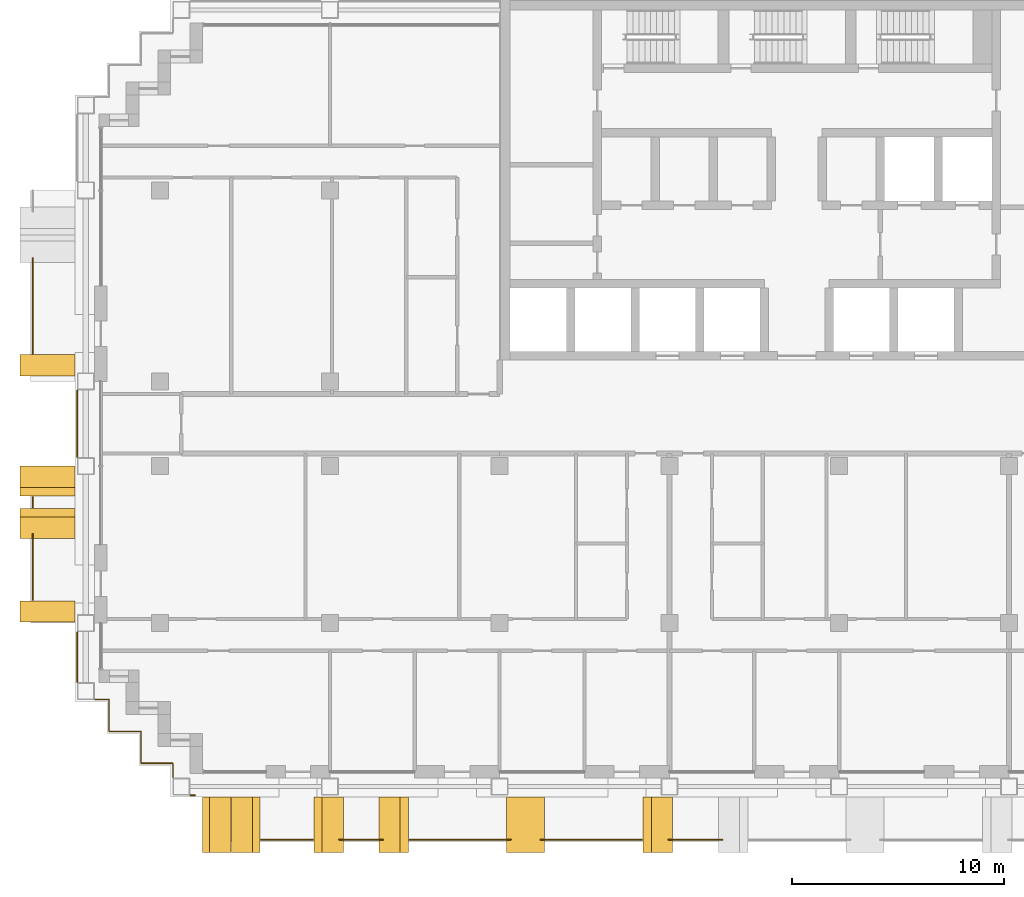
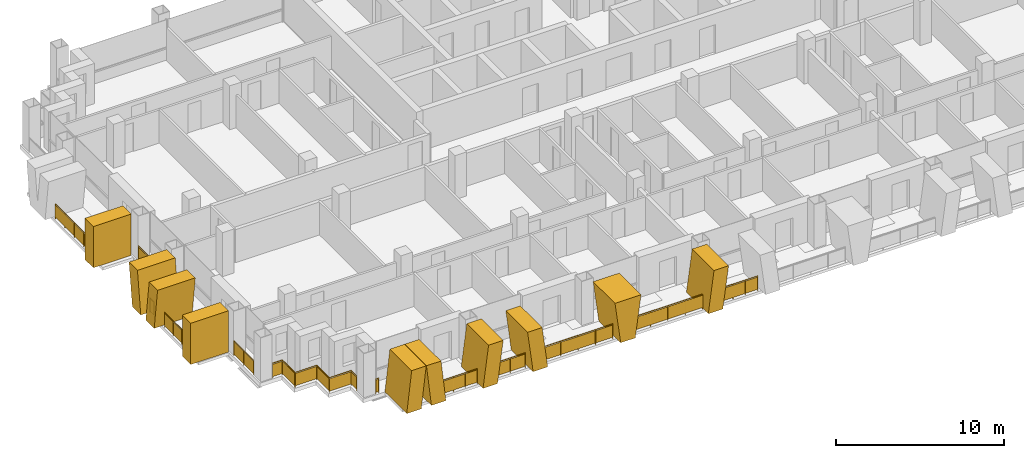
# One storey, part 13 of 16: 12 railings, 10 shading devices.
"""IFC4 building model written with IfcOpenShell, lengths in metres."""

from ifc_helpers import new_model, si_unit, direction, frame, origin, origin_2d, place, context, subcontext, project, spatial, polyline, rectangle, circle, outline, extrude, material, layer, layer_set, type_object, element, save


model = new_model("IFC4")

# Units and contexts
model_context = context("Model", 3, precision=1e-05, world=origin(), true_north=direction((0.0, 1.0)))
body_context = subcontext(model_context, "Body", "Model", "MODEL_VIEW")
ifc_project = project(units=[si_unit("LENGTHUNIT", "METRE"), si_unit("AREAUNIT", "SQUARE_METRE"), si_unit("VOLUMEUNIT", "CUBIC_METRE"), si_unit("PLANEANGLEUNIT", "RADIAN"), si_unit("MASSUNIT", "GRAM", prefix="KILO")], contexts=[model_context])

# Site, building, storey
site_placement = place(None, origin())
site = spatial("IfcSite", under=ifc_project, at=site_placement, CompositionType="ELEMENT")
building_placement = place(site_placement, origin())
building = spatial("IfcBuilding", under=site, at=building_placement, Name="Vidyagriha Tower", CompositionType="ELEMENT")
storey_placement = place(building_placement, frame((0.0, 0.0, 135.800048828125)))
storey = spatial("IfcBuildingStorey", under=building, at=storey_placement, Name="L35", CompositionType="ELEMENT", Elevation=135.800048828125)

# Railings
ifc_material_1 = material(Name="Steel ASTM A500 Grade C black painted", Category="steel")
railing_type_1 = type_object("IfcRailingType", Name="Balcony guard 1100", PredefinedType="BALUSTRADE", material=ifc_material_1)
railing_1_placement = place(storey_placement, frame((-36.0, 7.796630859375, 0.0)))
element("IfcRailing", 1, at=railing_1_placement, inside=storey, type_object=railing_type_1, Name="Balcony guard L35 R16.1-2", PredefinedType="BALUSTRADE", context=body_context, shape_type="SweptSolid", body=[
    extrude(circle(Radius=0.02490234375, at=origin_2d()), frame((0.0, 0.0, 1.0751953125), z_axis=(0.0, -1.0, 0.0), x_axis=(1.0, 0.0, 0.0)), (0.0, 0.0, 1.0), 4.49658203125),
    extrude(circle(Radius=0.02001953125, at=origin_2d()), origin(), (0.0, 0.0, 1.0), 1.050048828125),
    extrude(circle(Radius=0.02001953125, at=origin_2d()), frame((0.0, -1.1240234375, 0.0)), (0.0, 0.0, 1.0), 1.050048828125),
    extrude(circle(Radius=0.02001953125, at=origin_2d()), frame((0.0, -2.248291015625, 0.0)), (0.0, 0.0, 1.0), 1.050048828125),
    extrude(circle(Radius=0.02001953125, at=origin_2d()), frame((0.0, -3.37255859375, 0.0)), (0.0, 0.0, 1.0), 1.050048828125),
    extrude(circle(Radius=0.02001953125, at=origin_2d()), frame((0.0, -4.49658203125, 0.0)), (0.0, 0.0, 1.0), 1.050048828125),
    extrude(rectangle(XDim=0.010009765625, YDim=0.900146484375, at=origin_2d()), frame((0.0, 0.0, 0.550048828125), z_axis=(0.0, -1.0, 0.0), x_axis=(1.0, 0.0, 0.0)), (0.0, 0.0, 1.0), 4.49658203125),
])
railing_2_placement = place(storey_placement, frame((-36.0, -3.449951171875, 0.0)))
element("IfcRailing", 2, at=railing_2_placement, inside=storey, type_object=railing_type_1, Name="Balcony guard L35 R16.2-1", PredefinedType="BALUSTRADE", context=body_context, shape_type="SweptSolid", body=[
    extrude(circle(Radius=0.02490234375, at=origin_2d()), frame((0.0, 0.0, 1.0751953125), z_axis=(0.0, -1.0, 0.0), x_axis=(1.0, 0.0, 0.0)), (0.0, 0.0, 1.0), 0.5),
    extrude(circle(Radius=0.02001953125, at=origin_2d()), origin(), (0.0, 0.0, 1.0), 1.050048828125),
    extrude(circle(Radius=0.02001953125, at=origin_2d()), frame((0.0, -0.5, 0.0)), (0.0, 0.0, 1.0), 1.050048828125),
    extrude(rectangle(XDim=0.010009765625, YDim=0.900146484375, at=origin_2d()), frame((0.0, 0.0, 0.550048828125), z_axis=(0.0, -1.0, 0.0), x_axis=(1.0, 0.0, 0.0)), (0.0, 0.0, 1.0), 0.5),
])
railing_3_placement = place(storey_placement, frame((-36.0, -5.203369140625, 0.0)))
element("IfcRailing", 3, at=railing_3_placement, inside=storey, type_object=railing_type_1, Name="Balcony guard L35 R16.2-2", PredefinedType="BALUSTRADE", context=body_context, shape_type="SweptSolid", body=[
    extrude(circle(Radius=0.02490234375, at=origin_2d()), frame((0.0, 0.0, 1.0751953125), z_axis=(0.0, -1.0, 0.0), x_axis=(1.0, 0.0, 0.0)), (0.0, 0.0, 1.0), 3.0966796875),
    extrude(circle(Radius=0.02001953125, at=origin_2d()), origin(), (0.0, 0.0, 1.0), 1.050048828125),
    extrude(circle(Radius=0.02001953125, at=origin_2d()), frame((0.0, -1.0322265625, 0.0)), (0.0, 0.0, 1.0), 1.050048828125),
    extrude(circle(Radius=0.02001953125, at=origin_2d()), frame((0.0, -2.064453125, 0.0)), (0.0, 0.0, 1.0), 1.050048828125),
    extrude(circle(Radius=0.02001953125, at=origin_2d()), frame((0.0, -3.0966796875, 0.0)), (0.0, 0.0, 1.0), 1.050048828125),
    extrude(rectangle(XDim=0.010009765625, YDim=0.900146484375, at=origin_2d()), frame((0.0, 0.0, 0.550048828125), z_axis=(0.0, -1.0, 0.0), x_axis=(1.0, 0.0, 0.0)), (0.0, 0.0, 1.0), 3.0966796875),
])
railing_4_placement = place(storey_placement, frame((-25.25, -19.60009765625, 0.0)))
element("IfcRailing", 4, at=railing_4_placement, inside=storey, type_object=railing_type_1, Name="Balcony guard L35 R23.1-1", PredefinedType="BALUSTRADE", context=body_context, shape_type="SweptSolid", body=[
    extrude(circle(Radius=0.02490234375, at=origin_2d()), frame((0.0, 0.0, 1.0751953125), z_axis=(1.0, 0.0, 0.0), x_axis=(0.0, 1.0, 0.0)), (0.0, 0.0, 1.0), 2.449951171875),
    extrude(circle(Radius=0.02001953125, at=origin_2d()), origin(), (0.0, 0.0, 1.0), 1.050048828125),
    extrude(circle(Radius=0.02001953125, at=origin_2d()), frame((0.816650390625, 0.0, 0.0)), (0.0, 0.0, 1.0), 1.050048828125),
    extrude(circle(Radius=0.02001953125, at=origin_2d()), frame((1.63330078125, 0.0, 0.0)), (0.0, 0.0, 1.0), 1.050048828125),
    extrude(circle(Radius=0.02001953125, at=origin_2d()), frame((2.449951171875, 0.0, 0.0)), (0.0, 0.0, 1.0), 1.050048828125),
    extrude(rectangle(XDim=0.010009765625, YDim=0.900146484375, at=origin_2d()), frame((0.0, 0.0, 0.550048828125), z_axis=(1.0, 0.0, 0.0), x_axis=(0.0, 1.0, 0.0)), (0.0, 0.0, 1.0), 2.449951171875),
])
railing_5_placement = place(storey_placement, frame((-21.552978515625, -19.60009765625, 0.0)))
element("IfcRailing", 5, at=railing_5_placement, inside=storey, type_object=railing_type_1, Name="Balcony guard L35 R23.1-2", PredefinedType="BALUSTRADE", context=body_context, shape_type="SweptSolid", body=[
    extrude(circle(Radius=0.02490234375, at=origin_2d()), frame((0.0, 0.0, 1.0751953125), z_axis=(1.0, 0.0, 0.0), x_axis=(0.0, 1.0, 0.0)), (0.0, 0.0, 1.0), 2.05615234375),
    extrude(circle(Radius=0.02001953125, at=origin_2d()), origin(), (0.0, 0.0, 1.0), 1.050048828125),
    extrude(circle(Radius=0.02001953125, at=origin_2d()), frame((1.028076171875, 0.0, 0.0)), (0.0, 0.0, 1.0), 1.050048828125),
    extrude(circle(Radius=0.02001953125, at=origin_2d()), frame((2.05615234375, 0.0, 0.0)), (0.0, 0.0, 1.0), 1.050048828125),
    extrude(rectangle(XDim=0.010009765625, YDim=0.900146484375, at=origin_2d()), frame((0.0, 0.0, 0.550048828125), z_axis=(1.0, 0.0, 0.0), x_axis=(0.0, 1.0, 0.0)), (0.0, 0.0, 1.0), 2.05615234375),
])
railing_6_placement = place(storey_placement, frame((-18.25, -19.60009765625, 0.0)))
element("IfcRailing", 6, at=railing_6_placement, inside=storey, type_object=railing_type_1, Name="Balcony guard L35 R23.1-3", PredefinedType="BALUSTRADE", context=body_context, shape_type="SweptSolid", body=[
    extrude(circle(Radius=0.02490234375, at=origin_2d()), frame((0.0, 0.0, 1.0751953125), z_axis=(1.0, 0.0, 0.0), x_axis=(0.0, 1.0, 0.0)), (0.0, 0.0, 1.0), 4.773681640625),
    extrude(circle(Radius=0.02001953125, at=origin_2d()), origin(), (0.0, 0.0, 1.0), 1.050048828125),
    extrude(circle(Radius=0.02001953125, at=origin_2d()), frame((1.193359375, 0.0, 0.0)), (0.0, 0.0, 1.0), 1.050048828125),
    extrude(circle(Radius=0.02001953125, at=origin_2d()), frame((2.38671875, 0.0, 0.0)), (0.0, 0.0, 1.0), 1.050048828125),
    extrude(circle(Radius=0.02001953125, at=origin_2d()), frame((3.580322265625, 0.0, 0.0)), (0.0, 0.0, 1.0), 1.050048828125),
    extrude(circle(Radius=0.02001953125, at=origin_2d()), frame((4.773681640625, 0.0, 0.0)), (0.0, 0.0, 1.0), 1.050048828125),
    extrude(rectangle(XDim=0.010009765625, YDim=0.900146484375, at=origin_2d()), frame((0.0, 0.0, 0.550048828125), z_axis=(1.0, 0.0, 0.0), x_axis=(0.0, 1.0, 0.0)), (0.0, 0.0, 1.0), 4.773681640625),
])
railing_7_placement = place(storey_placement, frame((-12.073486328125, -19.60009765625, 0.0)))
element("IfcRailing", 7, at=railing_7_placement, inside=storey, type_object=railing_type_1, Name="Balcony guard L35 R23.1-4", PredefinedType="BALUSTRADE", context=body_context, shape_type="SweptSolid", body=[
    extrude(circle(Radius=0.02490234375, at=origin_2d()), frame((0.0, 0.0, 1.0751953125), z_axis=(1.0, 0.0, 0.0), x_axis=(0.0, 1.0, 0.0)), (0.0, 0.0, 1.0), 4.7734375),
    extrude(circle(Radius=0.02001953125, at=origin_2d()), origin(), (0.0, 0.0, 1.0), 1.050048828125),
    extrude(circle(Radius=0.02001953125, at=origin_2d()), frame((1.193359375, 0.0, 0.0)), (0.0, 0.0, 1.0), 1.050048828125),
    extrude(circle(Radius=0.02001953125, at=origin_2d()), frame((2.38671875, 0.0, 0.0)), (0.0, 0.0, 1.0), 1.050048828125),
    extrude(circle(Radius=0.02001953125, at=origin_2d()), frame((3.580078125, 0.0, 0.0)), (0.0, 0.0, 1.0), 1.050048828125),
    extrude(circle(Radius=0.02001953125, at=origin_2d()), frame((4.7734375, 0.0, 0.0)), (0.0, 0.0, 1.0), 1.050048828125),
    extrude(rectangle(XDim=0.010009765625, YDim=0.900146484375, at=origin_2d()), frame((0.0, 0.0, 0.550048828125), z_axis=(1.0, 0.0, 0.0), x_axis=(0.0, 1.0, 0.0)), (0.0, 0.0, 1.0), 4.7734375),
])
railing_8_placement = place(storey_placement, frame((-6.048583984375, -19.60009765625, 0.0)))
element("IfcRailing", 8, at=railing_8_placement, inside=storey, type_object=railing_type_1, Name="Balcony guard L35 R23.1-5", PredefinedType="BALUSTRADE", context=body_context, shape_type="SweptSolid", body=[
    extrude(circle(Radius=0.02490234375, at=origin_2d()), frame((0.0, 0.0, 1.0751953125), z_axis=(1.0, 0.0, 0.0), x_axis=(0.0, 1.0, 0.0)), (0.0, 0.0, 1.0), 2.547119140625),
    extrude(circle(Radius=0.02001953125, at=origin_2d()), origin(), (0.0, 0.0, 1.0), 1.050048828125),
    extrude(circle(Radius=0.02001953125, at=origin_2d()), frame((0.84912109375, 0.0, 0.0)), (0.0, 0.0, 1.0), 1.050048828125),
    extrude(circle(Radius=0.02001953125, at=origin_2d()), frame((1.697998046875, 0.0, 0.0)), (0.0, 0.0, 1.0), 1.050048828125),
    extrude(circle(Radius=0.02001953125, at=origin_2d()), frame((2.547119140625, 0.0, 0.0)), (0.0, 0.0, 1.0), 1.050048828125),
    extrude(rectangle(XDim=0.010009765625, YDim=0.900146484375, at=origin_2d()), frame((0.0, 0.0, 0.550048828125), z_axis=(1.0, 0.0, 0.0), x_axis=(0.0, 1.0, 0.0)), (0.0, 0.0, 1.0), 2.547119140625),
])

# Shading devices
ifc_material_2 = material(Name="Precast concrete C40/50 with buff brick facing", Category="concrete")
ifc_layer_1 = layer(ifc_material_2, 1.0)
ifc_layer_set_1 = layer_set([ifc_layer_1], Name="Precast concrete C40/50 with buff brick facing")
shading_device_type_1 = type_object("IfcShadingDeviceType", Name="Brick-faced blade fin arm leaning 8 degrees", PredefinedType="USERDEFINED", material=ifc_layer_set_1)
shading_device_1_placement = place(storey_placement, frame((-35.300048828125, -4.0, 0.0), z_axis=(0.0, 0.0, 1.0), x_axis=(0.0, -1.0, 0.0)))
element("IfcShadingDevice", 9, at=shading_device_1_placement, inside=storey, type_object=shading_device_type_1, Name="Leaning blade fin L35 R16.1600a", ObjectType="BLADE FIN", PredefinedType="USERDEFINED", context=body_context, shape_type="SweptSolid", body=[
    extrude(outline(polyline([(0.0, 0.0), (1.0, 0.0), (1.39990234375, 3.0), (0.39990234375, 3.0), (0.0, 0.0)])), frame((0.0, 1.300048828125, 0.0), z_axis=(0.0, -1.0, 0.0), x_axis=(1.0, 0.0, 0.0)), (0.0, 0.0, 1.0), 2.60009765625),
])
shading_device_2_placement = place(storey_placement, frame((-35.300048828125, -2.0, 0.0), z_axis=(0.0, 0.0, 1.0), x_axis=(0.0, -1.0, 0.0)))
element("IfcShadingDevice", 10, at=shading_device_2_placement, inside=storey, type_object=shading_device_type_1, Name="Leaning blade fin L35 R16.1600b", ObjectType="BLADE FIN", PredefinedType="USERDEFINED", context=body_context, shape_type="SweptSolid", body=[
    extrude(outline(polyline([(0.39990234375, 0.0), (1.39990234375, 0.0), (1.0, 3.0), (0.0, 3.0), (0.39990234375, 0.0)])), frame((0.0, 1.300048828125, 0.0), z_axis=(0.0, -1.0, 0.0), x_axis=(1.0, 0.0, 0.0)), (0.0, 0.0, 1.0), 2.60009765625),
])
shading_device_3_placement = place(storey_placement, frame((-26.639892578125, -18.89990234375, 0.0)))
element("IfcShadingDevice", 11, at=shading_device_3_placement, inside=storey, type_object=shading_device_type_1, Name="Leaning blade fin L35 R23.0a", ObjectType="BLADE FIN", PredefinedType="USERDEFINED", context=body_context, shape_type="SweptSolid", body=[
    extrude(outline(polyline([(0.340087890625, 0.0), (1.340087890625, 0.0), (1.0, 3.0), (0.0, 3.0), (0.340087890625, 0.0)])), frame((0.0, 1.300048828125, 0.0), z_axis=(0.0, -1.0, 0.0), x_axis=(1.0, 0.0, 0.0)), (0.0, 0.0, 1.0), 2.60009765625),
])
shading_device_4_placement = place(storey_placement, frame((-28.0, -18.89990234375, 0.0)))
element("IfcShadingDevice", 12, at=shading_device_4_placement, inside=storey, type_object=shading_device_type_1, Name="Leaning blade fin L35 R23.0b", ObjectType="BLADE FIN", PredefinedType="USERDEFINED", context=body_context, shape_type="SweptSolid", body=[
    extrude(outline(polyline([(0.0, 0.0), (1.0, 0.0), (1.340087890625, 3.0), (0.340087890625, 3.0), (0.0, 0.0)])), frame((0.0, 1.300048828125, 0.0), z_axis=(0.0, -1.0, 0.0), x_axis=(1.0, 0.0, 0.0)), (0.0, 0.0, 1.0), 2.60009765625),
])
shading_device_5_placement = place(storey_placement, frame((-19.683349609375, -18.89990234375, 0.0)))
element("IfcShadingDevice", 13, at=shading_device_5_placement, inside=storey, type_object=shading_device_type_1, Name="Leaning blade fin L35 R23.600a", ObjectType="BLADE FIN", PredefinedType="USERDEFINED", context=body_context, shape_type="SweptSolid", body=[
    extrude(outline(polyline([(0.38330078125, 0.0), (1.38330078125, 0.0), (1.0, 3.0), (0.0, 3.0), (0.38330078125, 0.0)])), frame((0.0, 1.300048828125, 0.0), z_axis=(0.0, -1.0, 0.0), x_axis=(1.0, 0.0, 0.0)), (0.0, 0.0, 1.0), 2.60009765625),
])
shading_device_6_placement = place(storey_placement, frame((-22.75, -18.89990234375, 0.0)))
element("IfcShadingDevice", 14, at=shading_device_6_placement, inside=storey, type_object=shading_device_type_1, Name="Leaning blade fin L35 R23.600b", ObjectType="BLADE FIN", PredefinedType="USERDEFINED", context=body_context, shape_type="SweptSolid", body=[
    extrude(outline(polyline([(0.0, 0.0), (1.0, 0.0), (1.38330078125, 3.0), (0.38330078125, 3.0), (0.0, 0.0)])), frame((0.0, 1.300048828125, 0.0), z_axis=(0.0, -1.0, 0.0), x_axis=(1.0, 0.0, 0.0)), (0.0, 0.0, 1.0), 2.60009765625),
])
shading_device_7_placement = place(storey_placement, frame((-7.25, -18.89990234375, 0.0)))
element("IfcShadingDevice", 15, at=shading_device_7_placement, inside=storey, type_object=shading_device_type_1, Name="Leaning blade fin L35 R23.2200b", ObjectType="BLADE FIN", PredefinedType="USERDEFINED", context=body_context, shape_type="SweptSolid", body=[
    extrude(outline(polyline([(0.0, 0.0), (1.0, 0.0), (1.39501953125, 3.0), (0.39501953125, 3.0), (0.0, 0.0)])), frame((0.0, 1.300048828125, 0.0), z_axis=(0.0, -1.0, 0.0), x_axis=(1.0, 0.0, 0.0)), (0.0, 0.0, 1.0), 2.60009765625),
])
ifc_material_3 = material(Name="Precast concrete C40/50 with buff brick facing", Category="concrete")
ifc_layer_2 = layer(ifc_material_3, 1.0)
ifc_layer_set_2 = layer_set([ifc_layer_2], Name="Precast concrete C40/50 with buff brick facing")
shading_device_type_2 = type_object("IfcShadingDeviceType", Name="Brick-faced blade fin forking 8 degrees", PredefinedType="USERDEFINED", material=ifc_layer_set_2)
shading_device_8_placement = place(storey_placement, frame((-13.669921875, -18.89990234375, 0.0)))
element("IfcShadingDevice", 16, at=shading_device_8_placement, inside=storey, type_object=shading_device_type_2, Name="Forked blade fin L35 R23.1400a", ObjectType="BLADE FIN", PredefinedType="USERDEFINED", context=body_context, shape_type="SweptSolid", body=[
    extrude(outline(polyline([(0.39501953125, 0.0), (1.39501953125, 0.0), (1.7900390625, 3.0), (0.0, 3.0), (0.39501953125, 0.0)])), frame((0.0, 1.300048828125, 0.0), z_axis=(0.0, -1.0, 0.0), x_axis=(1.0, 0.0, 0.0)), (0.0, 0.0, 1.0), 2.60009765625),
])
ifc_material_4 = material(Name="Precast concrete C40/50 with buff brick facing", Category="concrete")
ifc_layer_3 = layer(ifc_material_4, 1.0)
ifc_layer_set_3 = layer_set([ifc_layer_3], Name="Precast concrete C40/50 with buff brick facing")
shading_device_type_3 = type_object("IfcShadingDeviceType", Name="Brick-faced blade fin stem 1000", PredefinedType="USERDEFINED", material=ifc_layer_set_3)
for number, where, z_axis, x_axis, name in (
    (17, (-35.300048828125, 3.25, 0.0), (0.0, 0.0, 1.0), (0.0, -1.0, 0.0), "Stem blade fin L35 R16.1200a"),
    (18, (-35.300048828125, -8.35009765625, 0.0), (0.0, 0.0, 1.0), (0.0, -1.0, 0.0), "Stem blade fin L35 R16.2340a"),
):
    element("IfcShadingDevice", number, at=place(storey_placement, frame(where, z_axis=z_axis, x_axis=x_axis)), inside=storey, type_object=shading_device_type_3, Name=name, ObjectType="BLADE FIN", PredefinedType="USERDEFINED", context=body_context, shape_type="SweptSolid", body=[
        extrude(outline(polyline([(0.0, 0.0), (1.0, 0.0), (1.0, 3.0), (0.0, 3.0), (0.0, 0.0)])), frame((0.0, 1.300048828125, 0.0), z_axis=(0.0, -1.0, 0.0), x_axis=(1.0, 0.0, 0.0)), (0.0, 0.0, 1.0), 2.60009765625),
    ])

# Railings
ifc_material_5 = material(Name="Steel ASTM A500 Grade C black painted", Category="steel")
railing_type_2 = type_object("IfcRailingType", Name="Gallery guard 1100", PredefinedType="GUARDRAIL", material=ifc_material_5)
railing_9_placement = place(storey_placement, frame((-33.89990234375, -12.169921875, 0.0)))
element("IfcRailing", 19, at=railing_9_placement, inside=storey, type_object=railing_type_2, Name="Gallery guard L35 1", PredefinedType="GUARDRAIL", context=body_context, shape_type="SweptSolid", body=[
    extrude(circle(Radius=0.02490234375, at=origin_2d()), frame((0.0, 0.0, 1.0751953125), z_axis=(0.0, 1.0, 0.0), x_axis=(-1.0, 0.0, 0.0)), (0.0, 0.0, 1.0), 2.33984375),
    extrude(circle(Radius=0.02001953125, at=origin_2d()), origin(), (0.0, 0.0, 1.0), 1.050048828125),
    extrude(circle(Radius=0.02001953125, at=origin_2d()), frame((0.0, 1.169921875, 0.0)), (0.0, 0.0, 1.0), 1.050048828125),
    extrude(circle(Radius=0.02001953125, at=origin_2d()), frame((0.0, 2.33984375, 0.0)), (0.0, 0.0, 1.0), 1.050048828125),
    extrude(rectangle(XDim=0.010009765625, YDim=0.900146484375, at=origin_2d()), frame((0.0, 0.0, 0.550048828125), z_axis=(0.0, 1.0, 0.0), x_axis=(-1.0, 0.0, 0.0)), (0.0, 0.0, 1.0), 2.33984375),
])
railing_10_placement = place(storey_placement, frame((-33.89990234375, -1.570068359375, 0.0)))
element("IfcRailing", 20, at=railing_10_placement, inside=storey, type_object=railing_type_2, Name="Gallery guard L35 2", PredefinedType="GUARDRAIL", context=body_context, shape_type="SweptSolid", body=[
    extrude(circle(Radius=0.02490234375, at=origin_2d()), frame((0.0, 0.0, 1.0751953125), z_axis=(0.0, 1.0, 0.0), x_axis=(-1.0, 0.0, 0.0)), (0.0, 0.0, 1.0), 3.14013671875),
    extrude(circle(Radius=0.02001953125, at=origin_2d()), origin(), (0.0, 0.0, 1.0), 1.050048828125),
    extrude(circle(Radius=0.02001953125, at=origin_2d()), frame((0.0, 1.046630859375, 0.0)), (0.0, 0.0, 1.0), 1.050048828125),
    extrude(circle(Radius=0.02001953125, at=origin_2d()), frame((0.0, 2.093505859375, 0.0)), (0.0, 0.0, 1.0), 1.050048828125),
    extrude(circle(Radius=0.02001953125, at=origin_2d()), frame((0.0, 3.14013671875, 0.0)), (0.0, 0.0, 1.0), 1.050048828125),
    extrude(rectangle(XDim=0.010009765625, YDim=0.900146484375, at=origin_2d()), frame((0.0, 0.0, 0.550048828125), z_axis=(0.0, 1.0, 0.0), x_axis=(-1.0, 0.0, 0.0)), (0.0, 0.0, 1.0), 3.14013671875),
])
railing_11_placement = place(storey_placement, frame((-29.39990234375, -16.669921875, 0.0)))
element("IfcRailing", 21, at=railing_11_placement, inside=storey, type_object=railing_type_2, Name="Gallery guard L35 4", PredefinedType="GUARDRAIL", context=body_context, shape_type="SweptSolid", body=[
    extrude(circle(Radius=0.02490234375, at=origin_2d()), frame((0.0, 0.0, 1.0751953125), z_axis=(0.0, 1.0, 0.0), x_axis=(-1.0, 0.0, 0.0)), (0.0, 0.0, 1.0), 0.669921875),
    extrude(circle(Radius=0.02490234375, at=origin_2d()), frame((0.0, 0.669921875, 1.0751953125), z_axis=(-1.0, 0.0, 0.0), x_axis=(0.0, -1.0, 0.0)), (0.0, 0.0, 1.0), 1.5),
    extrude(circle(Radius=0.02490234375, at=origin_2d()), frame((-1.5, 0.669921875, 1.0751953125), z_axis=(0.0, 1.0, 0.0), x_axis=(-1.0, 0.0, 0.0)), (0.0, 0.0, 1.0), 1.5),
    extrude(circle(Radius=0.02490234375, at=origin_2d()), frame((-1.5, 2.169921875, 1.0751953125), z_axis=(-1.0, 0.0, 0.0), x_axis=(0.0, -1.0, 0.0)), (0.0, 0.0, 1.0), 1.5),
    extrude(circle(Radius=0.02490234375, at=origin_2d()), frame((-3.0, 2.169921875, 1.0751953125), z_axis=(0.0, 1.0, 0.0), x_axis=(-1.0, 0.0, 0.0)), (0.0, 0.0, 1.0), 1.5),
    extrude(circle(Radius=0.02490234375, at=origin_2d()), frame((-3.0, 3.669921875, 1.0751953125), z_axis=(-1.0, 0.0, 0.0), x_axis=(0.0, -1.0, 0.0)), (0.0, 0.0, 1.0), 0.670166015625),
    extrude(circle(Radius=0.02001953125, at=origin_2d()), origin(), (0.0, 0.0, 1.0), 1.050048828125),
    extrude(circle(Radius=0.02001953125, at=origin_2d()), frame((0.0, 0.669921875, 0.0)), (0.0, 0.0, 1.0), 1.050048828125),
    extrude(circle(Radius=0.02001953125, at=origin_2d()), frame((-1.5, 0.669921875, 0.0)), (0.0, 0.0, 1.0), 1.050048828125),
    extrude(circle(Radius=0.02001953125, at=origin_2d()), frame((-1.5, 2.169921875, 0.0)), (0.0, 0.0, 1.0), 1.050048828125),
    extrude(circle(Radius=0.02001953125, at=origin_2d()), frame((-3.0, 2.169921875, 0.0)), (0.0, 0.0, 1.0), 1.050048828125),
    extrude(circle(Radius=0.02001953125, at=origin_2d()), frame((-3.0, 3.669921875, 0.0)), (0.0, 0.0, 1.0), 1.050048828125),
    extrude(circle(Radius=0.02001953125, at=origin_2d()), frame((-3.670166015625, 3.669921875, 0.0)), (0.0, 0.0, 1.0), 1.050048828125),
    extrude(rectangle(XDim=0.010009765625, YDim=0.900146484375, at=origin_2d()), frame((0.0, 0.0, 0.550048828125), z_axis=(0.0, 1.0, 0.0), x_axis=(-1.0, 0.0, 0.0)), (0.0, 0.0, 1.0), 0.669921875),
    extrude(rectangle(XDim=0.010009765625, YDim=0.900146484375, at=origin_2d()), frame((0.0, 0.669921875, 0.550048828125), z_axis=(-1.0, 0.0, 0.0), x_axis=(0.0, -1.0, 0.0)), (0.0, 0.0, 1.0), 1.5),
    extrude(rectangle(XDim=0.010009765625, YDim=0.900146484375, at=origin_2d()), frame((-1.5, 0.669921875, 0.550048828125), z_axis=(0.0, 1.0, 0.0), x_axis=(-1.0, 0.0, 0.0)), (0.0, 0.0, 1.0), 1.5),
    extrude(rectangle(XDim=0.010009765625, YDim=0.900146484375, at=origin_2d()), frame((-1.5, 2.169921875, 0.550048828125), z_axis=(-1.0, 0.0, 0.0), x_axis=(0.0, -1.0, 0.0)), (0.0, 0.0, 1.0), 1.5),
    extrude(rectangle(XDim=0.010009765625, YDim=0.900146484375, at=origin_2d()), frame((-3.0, 2.169921875, 0.550048828125), z_axis=(0.0, 1.0, 0.0), x_axis=(-1.0, 0.0, 0.0)), (0.0, 0.0, 1.0), 1.5),
    extrude(rectangle(XDim=0.010009765625, YDim=0.900146484375, at=origin_2d()), frame((-3.0, 3.669921875, 0.550048828125), z_axis=(-1.0, 0.0, 0.0), x_axis=(0.0, -1.0, 0.0)), (0.0, 0.0, 1.0), 0.670166015625),
])
railing_12_placement = place(storey_placement, frame((-28.360107421875, -17.5, 0.0)))
element("IfcRailing", 22, at=railing_12_placement, inside=storey, type_object=railing_type_2, Name="Gallery guard L35 6", PredefinedType="GUARDRAIL", context=body_context, shape_type="SweptSolid", body=[
    extrude(circle(Radius=0.02490234375, at=origin_2d()), frame((0.0, 0.0, 1.0751953125), z_axis=(-1.0, 0.0, 0.0), x_axis=(0.0, -1.0, 0.0)), (0.0, 0.0, 1.0), 0.2099609375),
    extrude(circle(Radius=0.02001953125, at=origin_2d()), origin(), (0.0, 0.0, 1.0), 1.050048828125),
    extrude(circle(Radius=0.02001953125, at=origin_2d()), frame((-0.2099609375, 0.0, 0.0)), (0.0, 0.0, 1.0), 1.050048828125),
    extrude(rectangle(XDim=0.010009765625, YDim=0.900146484375, at=origin_2d()), frame((0.0, 0.0, 0.550048828125), z_axis=(-1.0, 0.0, 0.0), x_axis=(0.0, -1.0, 0.0)), (0.0, 0.0, 1.0), 0.2099609375),
])

save(model, "model.ifc")
